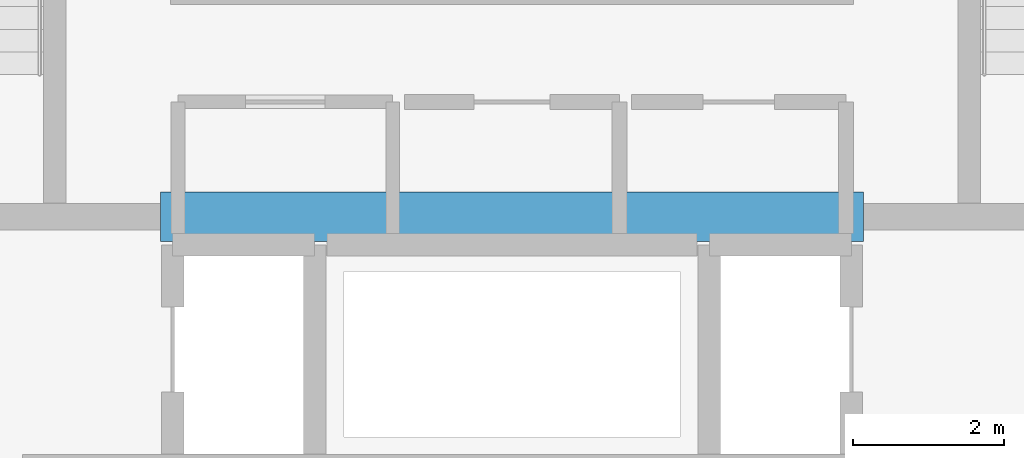
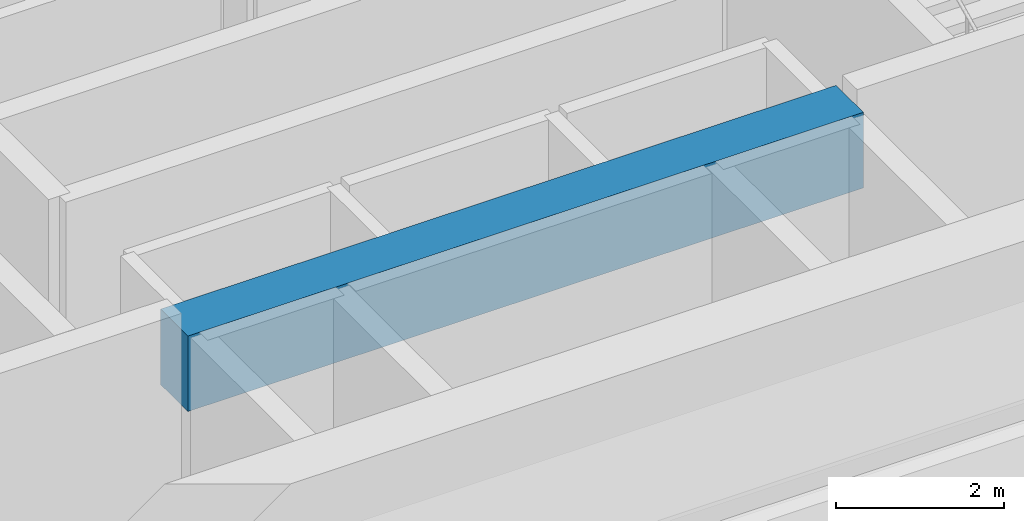
# One storey, part 8 of 34: 1 beam.
"""IFC4 building model written with IfcOpenShell, lengths in metres."""

from ifc_helpers import new_model, si_unit, direction, frame, origin, origin_2d, place, context, subcontext, project, spatial, rectangle, extrude, material, material_profile, profile_set, type_object, element, save


model = new_model("IFC4")

# Units and contexts
model_context = context("Model", 3, precision=1e-05, world=origin(), true_north=direction((0.0, 1.0)))
body_context = subcontext(model_context, "Body", "Model", "MODEL_VIEW")
ifc_project = project(units=[si_unit("LENGTHUNIT", "METRE"), si_unit("AREAUNIT", "SQUARE_METRE"), si_unit("VOLUMEUNIT", "CUBIC_METRE"), si_unit("PLANEANGLEUNIT", "RADIAN"), si_unit("MASSUNIT", "GRAM", prefix="KILO")], contexts=[model_context])

# Site, building, storey
site_placement = place(None, origin())
site = spatial("IfcSite", under=ifc_project, at=site_placement, CompositionType="ELEMENT")
building_placement = place(site_placement, origin())
building = spatial("IfcBuilding", under=site, at=building_placement, Name="Punatoya Terracotta Tower", CompositionType="ELEMENT")
storey_placement = place(building_placement, frame((0.0, 0.0, 97.050048828125)))
storey = spatial("IfcBuildingStorey", under=building, at=storey_placement, Name="L22", CompositionType="ELEMENT", Elevation=97.050048828125)

# Beam
ifc_material = material(Name="Concrete C60/75", Category="concrete")
ifc_material_profile = material_profile(ifc_material, rectangle(XDim=0.64990234375, YDim=1.10009765625, at=origin_2d()))
ifc_profile_set = profile_set([ifc_material_profile], Name="Concrete C60/75")
beam_type = type_object("IfcBeamType", Name="BM-RC-1100", PredefinedType="LINTEL", material=ifc_profile_set)
beam_placement = place(storey_placement, frame((-4.64990234375, -5.679931640625, 3.260009765625), z_axis=(1.0, 0.0, 0.0), x_axis=(0.0, 1.0, 0.0)))
element("IfcBeam", 1, at=beam_placement, inside=storey, type_object=beam_type, Name="L22 Core Coupling Lintel CSW", PredefinedType="LINTEL", context=body_context, shape_type="SweptSolid", body=[
    extrude(rectangle(XDim=0.64990234375, YDim=1.10009765625, at=origin_2d()), origin(), (0.0, 0.0, 1.0), 9.2998046875),
])

save(model, "model.ifc")
